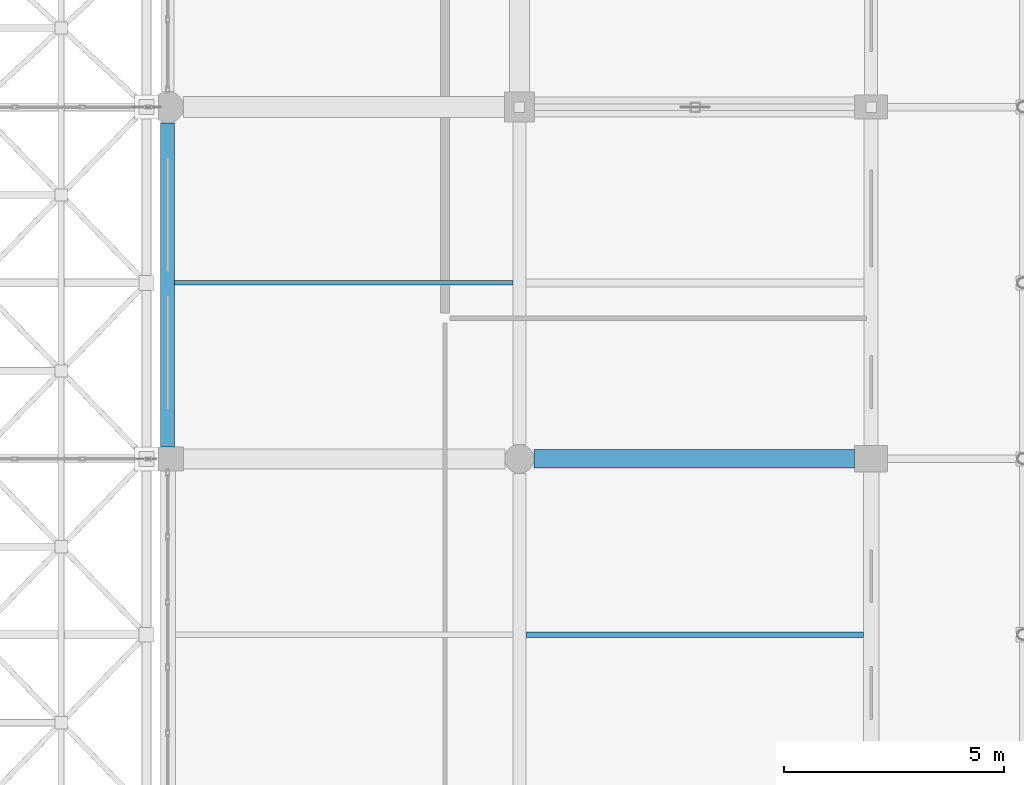
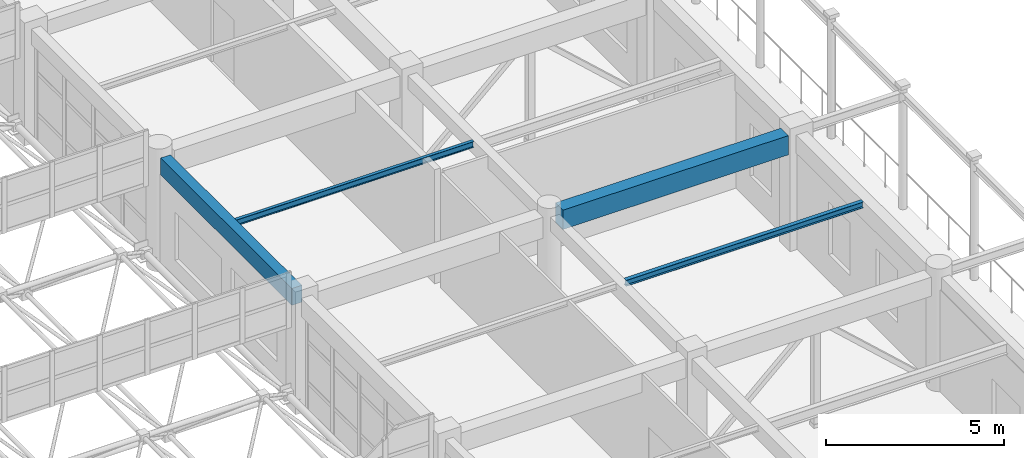
# One storey, part 101 of 195: 4 beams.
"""IFC4 building model written with IfcOpenShell, lengths in metres."""

from ifc_helpers import new_model, si_unit, direction, frame, origin, origin_2d, place, context, subcontext, project, spatial, rectangle, i_section, extrude, material, material_profile, profile_set, type_object, element, save


model = new_model("IFC4")

# Units and contexts
model_context = context("Model", 3, precision=1e-05, world=origin(), true_north=direction((0.0, 1.0)))
body_context = subcontext(model_context, "Body", "Model", "MODEL_VIEW")
ifc_project = project(units=[si_unit("LENGTHUNIT", "METRE"), si_unit("AREAUNIT", "SQUARE_METRE"), si_unit("VOLUMEUNIT", "CUBIC_METRE"), si_unit("PLANEANGLEUNIT", "RADIAN"), si_unit("MASSUNIT", "GRAM", prefix="KILO")], contexts=[model_context])

# Site, building, storey
site_placement = place(None, origin())
site = spatial("IfcSite", under=ifc_project, at=site_placement, CompositionType="ELEMENT")
building_placement = place(site_placement, origin())
building = spatial("IfcBuilding", under=site, at=building_placement, Name="Kharva Crest Polytechnic", CompositionType="ELEMENT")
storey_placement = place(building_placement, frame((0.0, 0.0, 9.0)))
storey = spatial("IfcBuildingStorey", under=building, at=storey_placement, Name="L02", CompositionType="ELEMENT", Elevation=9.0)

# Beams
ifc_material_1 = material(Name="Concrete C35/45", Category="concrete")
ifc_material_profile_1 = material_profile(ifc_material_1, rectangle(XDim=0.419921875, YDim=0.659912109375, at=origin_2d()), Name="RECT 420 X 660")
ifc_profile_set_1 = profile_set([ifc_material_profile_1], Name="Concrete C35/45")
beam_type_1 = type_object("IfcBeamType", Name="BM-RC-420X660", PredefinedType="BEAM", material=ifc_profile_set_1)
beam_1_placement = place(storey_placement, frame((40.330078125, 70.800048828125, 3.590087890625), z_axis=(1.0, 0.0, 0.0), x_axis=(0.0, 1.0, 0.0)))
element("IfcBeam", 1, at=beam_1_placement, inside=storey, type_object=beam_type_1, Name="L02 Beam K/6-7", PredefinedType="BEAM", context=body_context, shape_type="SweptSolid", body=[
    extrude(rectangle(XDim=0.419921875, YDim=0.659912109375, at=origin_2d()), origin(), (0.0, 0.0, 1.0), 7.294921875),
])
ifc_material_2 = material(Name="Steel S355", Category="steel")
ifc_material_profile_2 = material_profile(ifc_material_2, i_section(OverallWidth=0.10205078125, OverallDepth=0.2060546875, WebThickness=0.006103515625, FlangeThickness=0.008056640625, at=origin_2d()), Name="W200X22.5")
ifc_profile_set_2 = profile_set([ifc_material_profile_2], Name="Steel S355")
beam_type_2 = type_object("IfcBeamType", Name="BM-STL-W200X22", PredefinedType="JOIST", material=ifc_profile_set_2)
beam_2_placement = place(storey_placement, frame((32.159912109375, 74.800048828125, 3.81689453125), z_axis=(1.0, 0.0, 0.0), x_axis=(0.0, 1.0, 0.0)))
element("IfcBeam", 2, at=beam_2_placement, inside=storey, type_object=beam_type_2, Name="L02 Floor Joist 7", PredefinedType="JOIST", context=body_context, shape_type="SweptSolid", body=[
    extrude(i_section(OverallWidth=0.10205078125, OverallDepth=0.2060546875, WebThickness=0.006103515625, FlangeThickness=0.008056640625, at=origin_2d()), origin(), (0.0, 0.0, 1.0), 7.690185546875),
])
ifc_material_profile_3 = material_profile(ifc_material_2, i_section(OverallWidth=0.133056640625, OverallDepth=0.20703125, WebThickness=0.005859375, FlangeThickness=0.00830078125, at=origin_2d()), Name="W200X26.6")
ifc_profile_set_3 = profile_set([ifc_material_profile_3], Name="Steel S355")
beam_type_3 = type_object("IfcBeamType", Name="BM-STL-W200X26", PredefinedType="JOIST", material=ifc_profile_set_3)
beam_3_placement = place(storey_placement, frame((40.14990234375, 66.800048828125, 3.81640625), z_axis=(1.0, 0.0, 0.0), x_axis=(0.0, 1.0, 0.0)))
element("IfcBeam", 3, at=beam_3_placement, inside=storey, type_object=beam_type_3, Name="L02 Floor Joist 6", PredefinedType="JOIST", context=body_context, shape_type="SweptSolid", body=[
    extrude(i_section(OverallWidth=0.133056640625, OverallDepth=0.20703125, WebThickness=0.005859375, FlangeThickness=0.00830078125, at=origin_2d()), origin(), (0.0, 0.0, 1.0), 7.675048828125),
])
ifc_material_profile_4 = material_profile(ifc_material_1, rectangle(XDim=0.320068359375, YDim=0.580078125, at=origin_2d()), Name="RECT 320 X 580")
ifc_profile_set_4 = profile_set([ifc_material_profile_4], Name="Concrete C35/45")
beam_type_4 = type_object("IfcBeamType", Name="SP-RC-320X580", PredefinedType="SPANDREL", material=ifc_profile_set_4)
beam_4_placement = place(storey_placement, frame((32.0, 71.074951171875, 3.6298828125), z_axis=(0.0, 1.0, 0.0), x_axis=(-1.0, 0.0, 0.0)))
element("IfcBeam", 4, at=beam_4_placement, inside=storey, type_object=beam_type_4, Name="L02 Girder 5/K-L", PredefinedType="SPANDREL", context=body_context, shape_type="SweptSolid", body=[
    extrude(rectangle(XDim=0.320068359375, YDim=0.580078125, at=origin_2d()), origin(), (0.0, 0.0, 1.0), 7.364990234375),
])

save(model, "model.ifc")
